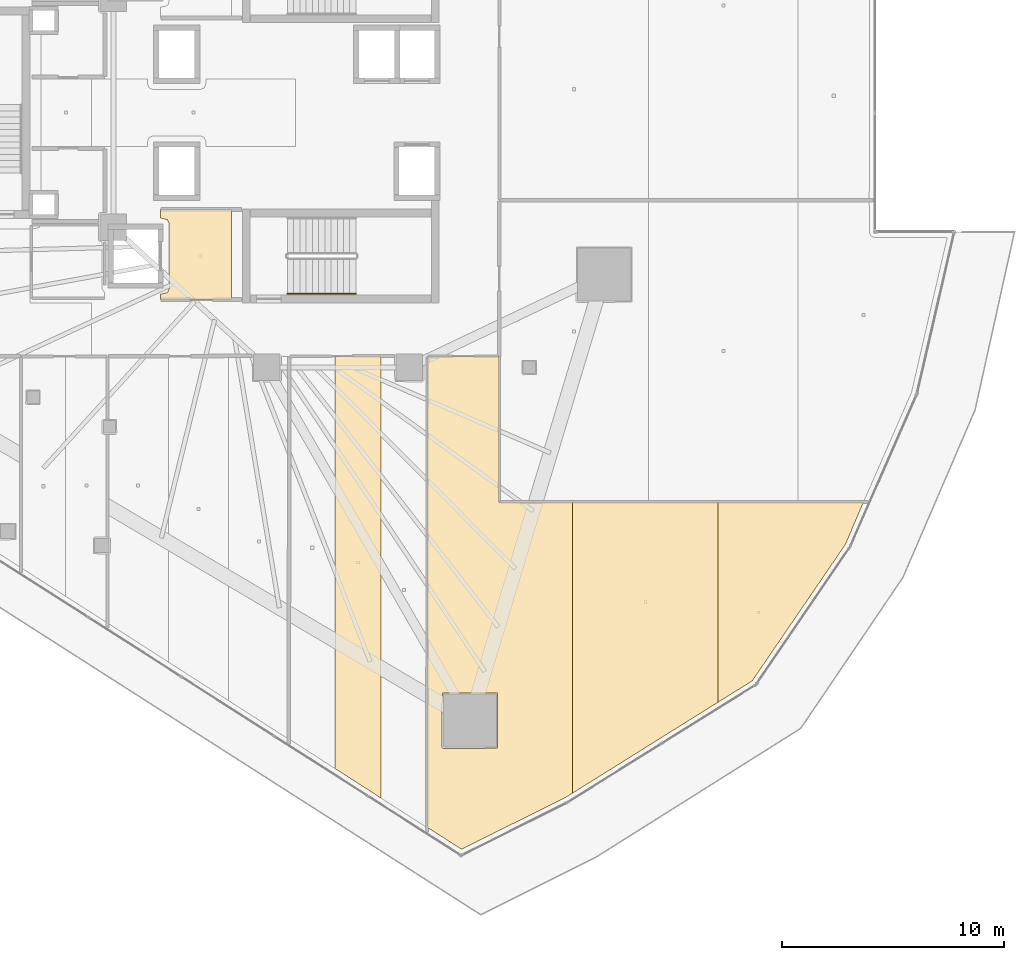
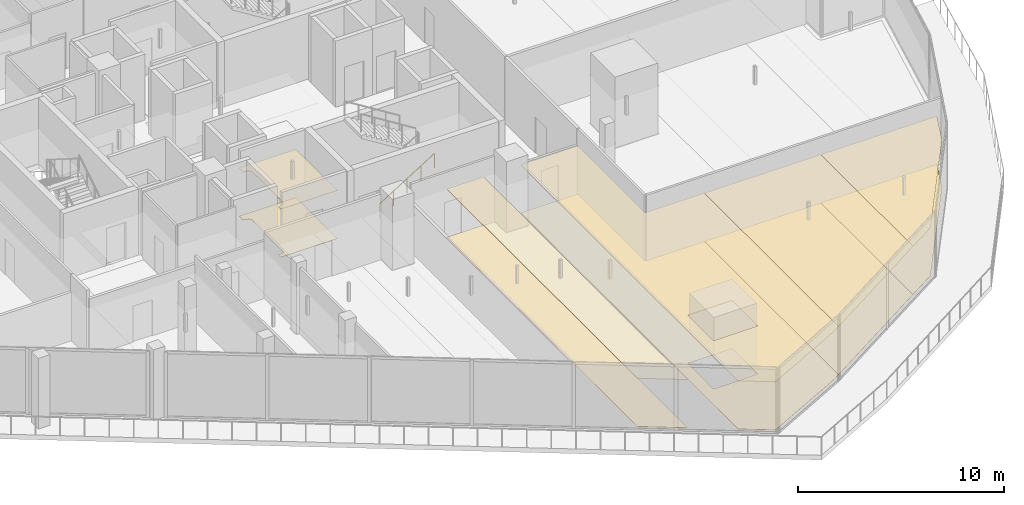
# One storey, part 38 of 44: 10 coverings, 1 railing.
"""IFC4 building model written with IfcOpenShell, lengths in metres."""

from ifc_helpers import new_model, si_unit, direction, frame, origin, origin_2d, place, context, subcontext, project, spatial, polyline, circle, outline, extrude, material, layer, layer_set, type_object, element, save


model = new_model("IFC4")

# Units and contexts
model_context = context("Model", 3, precision=1e-05, world=origin(), true_north=direction((0.0, 1.0)))
body_context = subcontext(model_context, "Body", "Model", "MODEL_VIEW")
ifc_project = project(units=[si_unit("LENGTHUNIT", "METRE"), si_unit("AREAUNIT", "SQUARE_METRE"), si_unit("VOLUMEUNIT", "CUBIC_METRE"), si_unit("PLANEANGLEUNIT", "RADIAN"), si_unit("MASSUNIT", "GRAM", prefix="KILO")], contexts=[model_context])

# Site, building, storey
site_placement = place(None, origin())
site = spatial("IfcSite", under=ifc_project, at=site_placement, CompositionType="ELEMENT")
building_placement = place(site_placement, origin())
building = spatial("IfcBuilding", under=site, at=building_placement, Name="Qorvath Tower", CompositionType="ELEMENT")
storey_placement = place(building_placement, frame((0.0, 0.0, 53.39990234375)))
storey = spatial("IfcBuildingStorey", under=building, at=storey_placement, Name="L11", CompositionType="ELEMENT", Elevation=53.39990234375)

# Coverings
ifc_material_1 = material(Name="Acoustic mineral fibre ceiling tile", Category="gypsum")
ifc_layer_1 = layer(ifc_material_1, 0.030029296875)
ifc_layer_set_1 = layer_set([ifc_layer_1], Name="COV-CEIL")
covering_type_1 = type_object("IfcCoveringType", Name="COV-CEIL", PredefinedType="CEILING", material=ifc_layer_set_1)
covering_1_placement = place(storey_placement, frame((0.0, 0.0, 2.85009765625)))
element("IfcCovering", 1, at=covering_1_placement, inside=storey, type_object=covering_type_1, Name="L11 Suspended Acoustic Ceiling 002", PredefinedType="CEILING", context=body_context, shape_type="SweptSolid", body=[
    extrude(outline(polyline([(-25.18994140625, -8.39501953125), (-25.18994140625, -4.35498046875), (-28.375, -4.35498046875), (-28.375, -4.739990234375), (-28.063232421875, -4.813232421875), (-27.989990234375, -4.989990234375), (-27.989990234375, -7.909912109375), (-28.063232421875, -8.086669921875), (-28.375, -8.159912109375), (-28.375, -8.39501953125), (-25.18994140625, -8.39501953125)])), origin(), (0.0, 0.0, 1.0), 0.030029296875),
])
covering_2_placement = place(storey_placement, frame((0.0, 0.0, 2.85009765625)))
element("IfcCovering", 2, at=covering_2_placement, inside=storey, type_object=covering_type_1, Name="L11 Suspended Acoustic Ceiling 030", PredefinedType="CEILING", context=body_context, shape_type="SweptSolid", body=[
    extrude(outline(polyline([(-18.45361328125, -30.823486328125), (-18.45361328125, -10.943115234375), (-20.5244140625, -10.953125), (-20.5244140625, -29.49365234375), (-18.45361328125, -30.823486328125)])), origin(), (0.0, 0.0, 1.0), 0.030029296875),
])
covering_3_placement = place(storey_placement, frame((0.0, 0.0, 2.85009765625)))
element("IfcCovering", 3, at=covering_3_placement, inside=storey, type_object=covering_type_1, Name="L11 Suspended Acoustic Ceiling 032", PredefinedType="CEILING", context=body_context, shape_type="SweptSolid", body=[
    extrude(outline(polyline([(-14.8486328125, -33.114990234375), (-10.205810546875, -30.81591796875), (-9.845947265625, -30.59130859375), (-9.845947265625, -17.513427734375), (-13.14990234375, -17.51318359375), (-13.155029296875, -10.962890625), (-16.36474609375, -10.962890625), (-16.382568359375, -32.134765625), (-14.8486328125, -33.114990234375)]), holes=[polyline([(-15.724365234375, -28.53076171875), (-15.706787109375, -26.08837890625), (-13.221923828125, -26.08837890625), (-13.221923828125, -28.5732421875), (-15.664306640625, -28.5908203125), (-15.724365234375, -28.53076171875)])]), origin(), (0.0, 0.0, 1.0), 0.030029296875),
])
covering_4_placement = place(storey_placement, frame((0.0, 0.0, 2.85009765625)))
element("IfcCovering", 4, at=covering_4_placement, inside=storey, type_object=covering_type_1, Name="L11 Suspended Acoustic Ceiling 033", PredefinedType="CEILING", context=body_context, shape_type="SweptSolid", body=[
    extrude(outline(polyline([(-9.845947265625, -17.513427734375), (-9.845947265625, -30.59130859375), (-3.3095703125, -26.508544921875), (-3.3095703125, -17.51416015625), (-9.845947265625, -17.513427734375)])), origin(), (0.0, 0.0, 1.0), 0.030029296875),
])
covering_5_placement = place(storey_placement, frame((0.0, 0.0, 2.85009765625)))
element("IfcCovering", 5, at=covering_5_placement, inside=storey, type_object=covering_type_1, Name="L11 Suspended Acoustic Ceiling 034", PredefinedType="CEILING", context=body_context, shape_type="SweptSolid", body=[
    extrude(outline(polyline([(-3.3095703125, -17.51416015625), (-3.3095703125, -26.508544921875), (-1.77392578125, -25.549560546875), (2.416748046875, -19.414794921875), (3.22705078125, -17.5146484375), (-3.3095703125, -17.51416015625)])), origin(), (0.0, 0.0, 1.0), 0.030029296875),
])
ifc_material_2 = material(Name="Low-VOC modular carpet tile", Category="textile")
ifc_layer_2 = layer(ifc_material_2, 0.014892578125)
ifc_layer_set_2 = layer_set([ifc_layer_2], Name="COV-FLOOR-CPT")
covering_type_2 = type_object("IfcCoveringType", Name="COV-FLOOR-CPT", PredefinedType="FLOORING", material=ifc_layer_set_2)
covering_6_placement = place(storey_placement, origin())
element("IfcCovering", 6, at=covering_6_placement, inside=storey, type_object=covering_type_2, Name="L11 Floor Finish 030", PredefinedType="FLOORING", context=body_context, shape_type="SweptSolid", body=[
    extrude(outline(polyline([(-18.45361328125, -30.823486328125), (-18.45361328125, -10.943115234375), (-20.5244140625, -10.953125), (-20.5244140625, -29.49365234375), (-18.45361328125, -30.823486328125)])), origin(), (0.0, 0.0, 1.0), 0.01513671875),
])
covering_7_placement = place(storey_placement, origin())
element("IfcCovering", 7, at=covering_7_placement, inside=storey, type_object=covering_type_2, Name="L11 Floor Finish 032", PredefinedType="FLOORING", context=body_context, shape_type="SweptSolid", body=[
    extrude(outline(polyline([(-14.8486328125, -33.114990234375), (-10.205810546875, -30.81591796875), (-9.845947265625, -30.59130859375), (-9.845947265625, -17.513427734375), (-13.14990234375, -17.51318359375), (-13.155029296875, -10.962890625), (-16.36474609375, -10.962890625), (-16.382568359375, -32.134765625), (-14.8486328125, -33.114990234375)]), holes=[polyline([(-15.724365234375, -28.53076171875), (-15.706787109375, -26.08837890625), (-13.221923828125, -26.08837890625), (-13.221923828125, -28.5732421875), (-15.664306640625, -28.5908203125), (-15.724365234375, -28.53076171875)])]), origin(), (0.0, 0.0, 1.0), 0.01513671875),
])
covering_8_placement = place(storey_placement, origin())
element("IfcCovering", 8, at=covering_8_placement, inside=storey, type_object=covering_type_2, Name="L11 Floor Finish 033", PredefinedType="FLOORING", context=body_context, shape_type="SweptSolid", body=[
    extrude(outline(polyline([(-9.845947265625, -17.513427734375), (-9.845947265625, -30.59130859375), (-3.3095703125, -26.508544921875), (-3.3095703125, -17.51416015625), (-9.845947265625, -17.513427734375)])), origin(), (0.0, 0.0, 1.0), 0.01513671875),
])
covering_9_placement = place(storey_placement, origin())
element("IfcCovering", 9, at=covering_9_placement, inside=storey, type_object=covering_type_2, Name="L11 Floor Finish 034", PredefinedType="FLOORING", context=body_context, shape_type="SweptSolid", body=[
    extrude(outline(polyline([(-3.3095703125, -17.51416015625), (-3.3095703125, -26.508544921875), (-1.77392578125, -25.549560546875), (2.416748046875, -19.414794921875), (3.22705078125, -17.5146484375), (-3.3095703125, -17.51416015625)])), origin(), (0.0, 0.0, 1.0), 0.01513671875),
])
ifc_material_3 = material(Name="Polished epoxy terrazzo flooring", Category="concrete")
ifc_layer_3 = layer(ifc_material_3, 0.02001953125)
ifc_layer_set_3 = layer_set([ifc_layer_3], Name="COV-FLOOR-TRZ")
covering_type_3 = type_object("IfcCoveringType", Name="COV-FLOOR-TRZ", PredefinedType="FLOORING", material=ifc_layer_set_3)
covering_10_placement = place(storey_placement, origin())
element("IfcCovering", 10, at=covering_10_placement, inside=storey, type_object=covering_type_3, Name="L11 Floor Finish 002", PredefinedType="FLOORING", context=body_context, shape_type="SweptSolid", body=[
    extrude(outline(polyline([(-25.18994140625, -8.39501953125), (-25.18994140625, -4.35498046875), (-28.375, -4.35498046875), (-28.375, -4.739990234375), (-28.063232421875, -4.813232421875), (-27.989990234375, -4.989990234375), (-27.989990234375, -7.909912109375), (-28.063232421875, -8.086669921875), (-28.375, -8.159912109375), (-28.375, -8.39501953125), (-25.18994140625, -8.39501953125)])), origin(), (0.0, 0.0, 1.0), 0.01513671875),
])

# Railing
ifc_material_4 = material(Name="Brushed stainless steel AISI 304", Category="steel")
railing_type = type_object("IfcRailingType", Name="RL-STR-HND", PredefinedType="HANDRAIL", material=ifc_material_4)
railing_placement = place(storey_placement, frame((-22.669921875, -8.14990234375, 0.175048828125)))
element("IfcRailing", 11, at=railing_placement, inside=storey, type_object=railing_type, Name="L11 TS2 stair handrail 1", PredefinedType="HANDRAIL", context=body_context, shape_type="SweptSolid", body=[
    extrude(circle(Radius=0.02392578125, at=origin_2d()), frame((0.0, 0.0, 0.8759765625), z_axis=(0.847979421464, 0.0, 0.530029150871), x_axis=(0.0, 1.0, 0.0)), (0.0, 0.0, 1.0), 3.632080078125),
    extrude(circle(Radius=0.02099609375, at=origin_2d()), origin(), (0.0, 0.0, 1.0), 0.851806640625),
    extrude(circle(Radius=0.02099609375, at=origin_2d()), frame((0.77001953125, 0.0, 0.481201171875)), (0.0, 0.0, 1.0), 0.851806640625),
    extrude(circle(Radius=0.02099609375, at=origin_2d()), frame((1.5400390625, 0.0, 0.96240234375)), (0.0, 0.0, 1.0), 0.851806640625),
    extrude(circle(Radius=0.02099609375, at=origin_2d()), frame((2.309814453125, 0.0, 1.44384765625)), (0.0, 0.0, 1.0), 0.851806640625),
    extrude(circle(Radius=0.02099609375, at=origin_2d()), frame((3.079833984375, 0.0, 1.925048828125)), (0.0, 0.0, 1.0), 0.851806640625),
])

save(model, "model.ifc")
